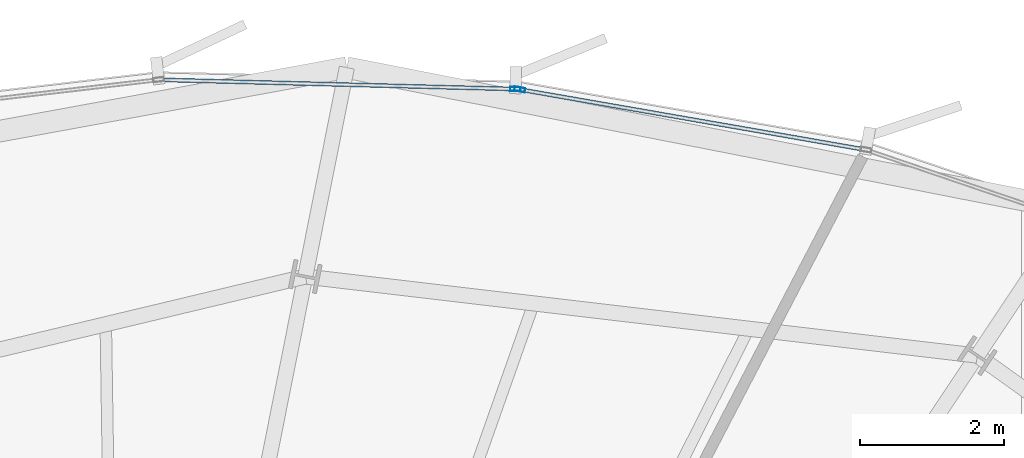
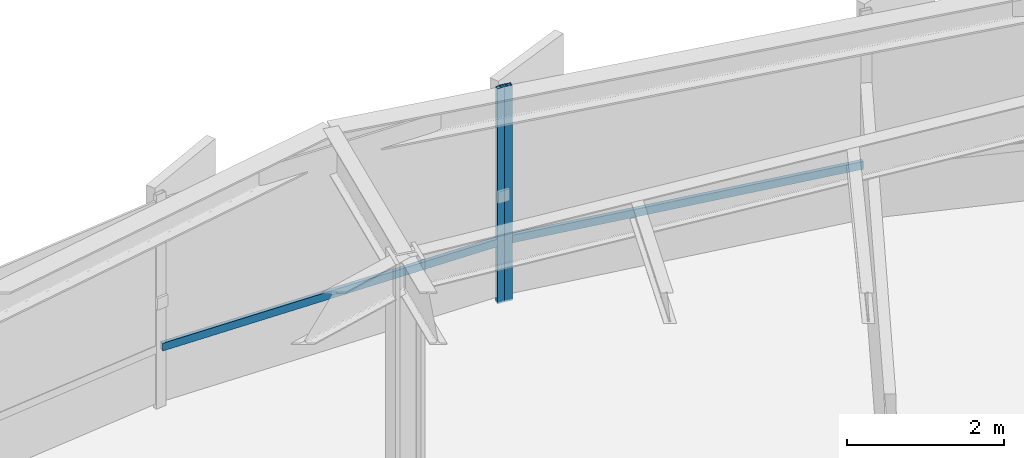
# One storey, part 25 of 33: 4 members, 2 elements without a shape of their own.
"""IFC4 building model written with IfcOpenShell, lengths in metres."""

from ifc_helpers import new_model, si_unit, direction, frame, origin, origin_2d, place, context, subcontext, project, spatial, hollow_rectangle, extrude, source, transform, mapped, material, layer, layer_set, material_profile, profile_set, type_object, element, aggregate, save


model = new_model("IFC4")

# Units and contexts
model_context = context("Model", 3, precision=1e-05, world=origin(), true_north=direction((0.0, 1.0)))
body_context = subcontext(model_context, "Body", "Model", "MODEL_VIEW")
ifc_project = project(units=[si_unit("LENGTHUNIT", "METRE"), si_unit("AREAUNIT", "SQUARE_METRE"), si_unit("VOLUMEUNIT", "CUBIC_METRE"), si_unit("PLANEANGLEUNIT", "RADIAN"), si_unit("MASSUNIT", "GRAM", prefix="KILO"), si_unit("THERMODYNAMICTEMPERATUREUNIT", "KELVIN")], contexts=[model_context])

# Site, building, storey
site_placement = place(None, origin())
site = spatial("IfcSite", under=ifc_project, at=site_placement, CompositionType="ELEMENT")
building_placement = place(site_placement, origin())
building = spatial("IfcBuilding", under=site, at=building_placement, Name="Kethvar Cultural Tower", CompositionType="ELEMENT")
storey_placement = place(building_placement, frame((0.0, 0.0, 110.800048828125)))
storey = spatial("IfcBuildingStorey", under=building, at=storey_placement, Name="L27", CompositionType="ELEMENT", Elevation=110.800048828125)

# Curtain wall, member
ifc_material = material(Name="Aluminium 6063-T6", Category="aluminium")
ifc_layer = layer(ifc_material, 0.179931640625, Name="Aluminium 6063-T6", Category="aluminium")
ifc_layer_set = layer_set([ifc_layer], Name="Aluminium 6063-T6 (180 mm)")
curtain_wall_type = type_object("IfcCurtainWallType", Name="CW-SYS-03-Z2", PredefinedType="NOTDEFINED", material=ifc_layer_set)
curtain_wall_1_placement = place(storey_placement, origin())
curtain_wall_1 = element("IfcCurtainWall", 1, at=curtain_wall_1_placement, inside=storey, type_object=curtain_wall_type, Name="L27 Curtain Wall Run 01", PredefinedType="NOTDEFINED")
ifc_material_profile_1 = material_profile(ifc_material, hollow_rectangle(XDim=0.06005859375, YDim=0.14990234375, WallThickness=0.0048828125, at=origin_2d()), Name="Aluminium 6063-T6 — RHS150x60x5")
ifc_profile_set_1 = profile_set([ifc_material_profile_1], Name="Aluminium 6063-T6 — RHS150x60x5")
member_type_1 = type_object("IfcMemberType", Name="CW-SYS-03-Z2-MUL", PredefinedType="MULLION", material=ifc_profile_set_1)
shared_shape_1 = source(origin(), body_context, "Body", "SweptSolid", [
    extrude(hollow_rectangle(XDim=0.06005859375, YDim=0.14990234375, WallThickness=0.0048828125, at=origin_2d()), origin(), (0.0, 0.0, 1.0), 3.349853515625),
])
member_1_placement = place(storey_placement, frame((54.04931640625, 51.857421875, 0.0), z_axis=(0.0, 0.0, 1.0), x_axis=(-0.171619610578, -0.985163290661, 0.0)))
member_1 = element("IfcMember", 2, at=member_1_placement, type_object=member_type_1, Name="CW-L27-R01 Mullion 7", PredefinedType="MULLION", context=body_context, shape_type="MappedRepresentation", body=[
    mapped(shared_shape_1, transform((0.0, 0.0, 0.0), scale=1.0)),
])

curtain_wall_2_placement = place(storey_placement, origin())
curtain_wall_2 = element("IfcCurtainWall", 3, at=curtain_wall_2_placement, inside=storey, type_object=curtain_wall_type, Name="L27 Curtain Wall Run 02", PredefinedType="NOTDEFINED")
member_2_placement = place(storey_placement, frame((53.988525390625, 51.863525390625, 0.0), z_axis=(0.0, 0.0, 1.0), x_axis=(-0.025985027398, -0.999662332166, 0.0)))
member_2 = element("IfcMember", 4, at=member_2_placement, type_object=member_type_1, Name="CW-L27-R02 Mullion 1", PredefinedType="MULLION", context=body_context, shape_type="MappedRepresentation", body=[
    mapped(shared_shape_1, transform((0.0, 0.0, 0.0), scale=1.0)),
])

# Member
ifc_material_profile_2 = material_profile(ifc_material, hollow_rectangle(XDim=0.054931640625, YDim=0.1201171875, WallThickness=0.00390625, at=origin_2d()), Name="Aluminium 6063-T6 — RHS120x55x4")
ifc_profile_set_2 = profile_set([ifc_material_profile_2], Name="Aluminium 6063-T6 — RHS120x55x4")
member_type_2 = type_object("IfcMemberType", Name="CW-SYS-03-Z2-TRN", PredefinedType="USERDEFINED", material=ifc_profile_set_2)
shared_shape_2 = source(origin(), body_context, "Body", "SweptSolid", [
    extrude(hollow_rectangle(XDim=0.054931640625, YDim=0.1201171875, WallThickness=0.00390625, at=origin_2d()), origin(), (0.0, 0.0, 1.0), 4.836669921875),
])
member_3_placement = place(storey_placement, frame((58.818359375, 51.026611328125, 0.949951171875), z_axis=(-0.985162812045, 0.171622357993, 0.0), x_axis=(-0.171622357993, -0.985162812045, 0.0)))
member_3 = element("IfcMember", 5, at=member_3_placement, type_object=member_type_2, Name="CW-L27-R01 Transom 6", ObjectType="TRANSOM", PredefinedType="USERDEFINED", context=body_context, shape_type="MappedRepresentation", body=[
    mapped(shared_shape_2, transform((0.0, 0.0, 0.0), scale=1.0)),
])

aggregate(curtain_wall_1, [member_1, member_3])

shared_shape_3 = source(origin(), body_context, "Body", "SweptSolid", [
    extrude(hollow_rectangle(XDim=0.054931640625, YDim=0.1201171875, WallThickness=0.00390625, at=origin_2d()), origin(), (0.0, 0.0, 1.0), 4.926513671875),
])
member_4_placement = place(storey_placement, frame((53.984375, 51.86376953125, 0.949951171875), z_axis=(-0.999662778748, 0.025967841367, 0.0), x_axis=(-0.025967841367, -0.999662778748, 0.0)))
member_4 = element("IfcMember", 6, at=member_4_placement, type_object=member_type_2, Name="CW-L27-R02 Transom 1", ObjectType="TRANSOM", PredefinedType="USERDEFINED", context=body_context, shape_type="MappedRepresentation", body=[
    mapped(shared_shape_3, transform((0.0, 0.0, 0.0), scale=1.0)),
])

aggregate(curtain_wall_2, [member_2, member_4])

save(model, "model.ifc")
